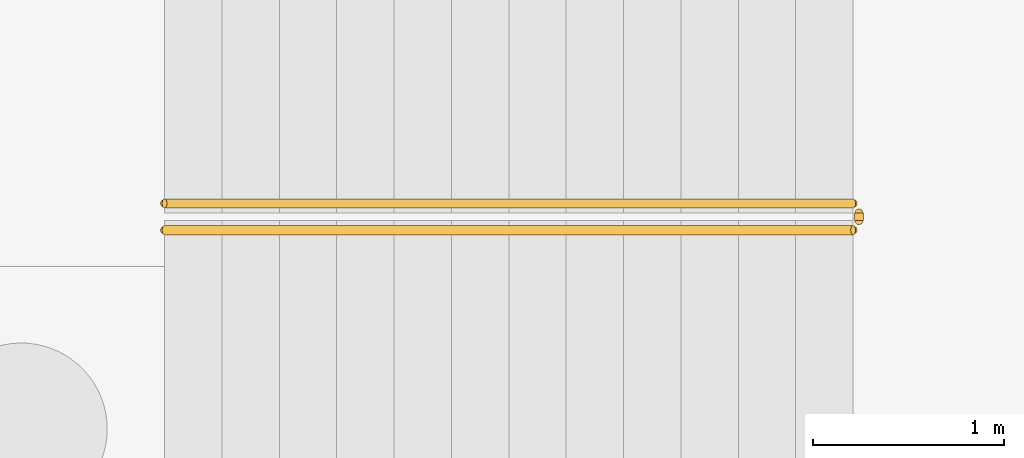
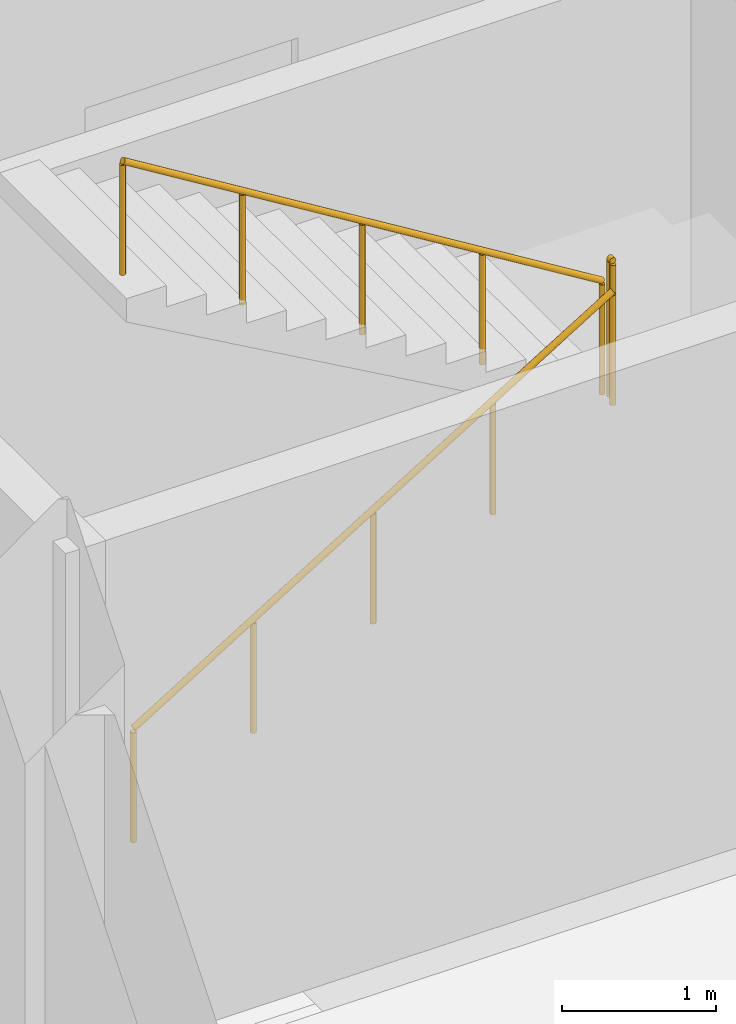
# One storey, part 11 of 13: 3 railings.
"""IFC4 building model written with IfcOpenShell, lengths in metres."""

from ifc_helpers import new_model, si_unit, direction, frame, origin, origin_2d, place, context, subcontext, project, spatial, circle, extrude, material, type_object, element, save


model = new_model("IFC4")

# Units and contexts
model_context = context("Model", 3, precision=1e-05, world=origin(), true_north=direction((0.0, 1.0)))
body_context = subcontext(model_context, "Body", "Model", "MODEL_VIEW")
ifc_project = project(units=[si_unit("LENGTHUNIT", "METRE"), si_unit("AREAUNIT", "SQUARE_METRE"), si_unit("VOLUMEUNIT", "CUBIC_METRE"), si_unit("PLANEANGLEUNIT", "RADIAN"), si_unit("MASSUNIT", "GRAM", prefix="KILO")], contexts=[model_context])

# Site, building, storey
site_placement = place(None, origin())
site = spatial("IfcSite", under=ifc_project, at=site_placement, CompositionType="ELEMENT")
building_placement = place(site_placement, origin())
building = spatial("IfcBuilding", under=site, at=building_placement, Name="Asteropetra Specialist Clinic", CompositionType="ELEMENT")
storey_placement = place(building_placement, frame((0.0, 0.0, -4.419921875)))
storey = spatial("IfcBuildingStorey", under=building, at=storey_placement, Name="B1", CompositionType="ELEMENT", Elevation=-4.419921875)

# Railings
ifc_material_1 = material(Name="Steel S355 and laminated glass guard", Category="steel")
railing_type_1 = type_object("IfcRailingType", Name="GRD-INT-1120", PredefinedType="GUARDRAIL", material=ifc_material_1)
railing_1_placement = place(storey_placement, frame((5.580078125, 35.889892578125, 2.2099609375)))
element("IfcRailing", 1, at=railing_1_placement, inside=storey, type_object=railing_type_1, Name="Landing Slot Guard ST04-B1", PredefinedType="GUARDRAIL", context=body_context, shape_type="SweptSolid", body=[
    extrude(circle(Radius=0.02392578125, at=origin_2d()), frame((0.0, 0.0, 1.09619140625), z_axis=(0.0, 1.0, 0.0), x_axis=(-1.0, 0.0, 0.0)), (0.0, 0.0, 1.0), 0.0400390625),
    extrude(circle(Radius=0.02099609375, at=origin_2d()), origin(), (0.0, 0.0, 1.0), 1.072021484375),
    extrude(circle(Radius=0.02099609375, at=origin_2d()), frame((0.0, 0.0400390625, 0.0)), (0.0, 0.0, 1.0), 1.072021484375),
])
ifc_material_2 = material(Name="Brushed stainless steel handrail", Category="steel")
railing_type_2 = type_object("IfcRailingType", Name="HRL-STAIR-920", PredefinedType="HANDRAIL", material=ifc_material_2)
railing_2_placement = place(storey_placement, frame((1.949951171875, 35.840087890625, 0.0)))
element("IfcRailing", 2, at=railing_2_placement, inside=storey, type_object=railing_type_2, Name="Stair Handrail ST04-B1 F1", PredefinedType="HANDRAIL", context=body_context, shape_type="SweptSolid", body=[
    extrude(circle(Radius=0.02392578125, at=origin_2d()), frame((0.0, 0.0, 0.89599609375), z_axis=(0.85223722916, 0.0, 0.523155526811), x_axis=(0.0, 1.0, 0.0)), (0.0, 0.0, 1.0), 4.224365234375),
    extrude(circle(Radius=0.02099609375, at=origin_2d()), origin(), (0.0, 0.0, 1.0), 0.871826171875),
    extrude(circle(Radius=0.02099609375, at=origin_2d()), frame((0.89990234375, 0.0, 0.552490234375)), (0.0, 0.0, 1.0), 0.871826171875),
    extrude(circle(Radius=0.02099609375, at=origin_2d()), frame((1.800048828125, 0.0, 1.10498046875)), (0.0, 0.0, 1.0), 0.871826171875),
    extrude(circle(Radius=0.02099609375, at=origin_2d()), frame((2.7001953125, 0.0, 1.657470703125)), (0.0, 0.0, 1.0), 0.871826171875),
    extrude(circle(Radius=0.02099609375, at=origin_2d()), frame((3.60009765625, 0.0, 2.2099609375)), (0.0, 0.0, 1.0), 0.871826171875),
])
railing_3_placement = place(storey_placement, frame((5.550048828125, 35.97998046875, 2.2099609375)))
element("IfcRailing", 3, at=railing_3_placement, inside=storey, type_object=railing_type_2, Name="Stair Handrail ST04-B1 F2", PredefinedType="HANDRAIL", context=body_context, shape_type="SweptSolid", body=[
    extrude(circle(Radius=0.02392578125, at=origin_2d()), frame((0.0, 0.0, 0.89599609375), z_axis=(-0.85223722916, 0.0, 0.523155526811), x_axis=(0.0, -1.0, 0.0)), (0.0, 0.0, 1.0), 4.224365234375),
    extrude(circle(Radius=0.02099609375, at=origin_2d()), origin(), (0.0, 0.0, 1.0), 0.871826171875),
    extrude(circle(Radius=0.02099609375, at=origin_2d()), frame((-0.89990234375, 0.0, 0.552490234375)), (0.0, 0.0, 1.0), 0.871826171875),
    extrude(circle(Radius=0.02099609375, at=origin_2d()), frame((-1.800048828125, 0.0, 1.10498046875)), (0.0, 0.0, 1.0), 0.871826171875),
    extrude(circle(Radius=0.02099609375, at=origin_2d()), frame((-2.7001953125, 0.0, 1.657470703125)), (0.0, 0.0, 1.0), 0.871826171875),
    extrude(circle(Radius=0.02099609375, at=origin_2d()), frame((-3.60009765625, 0.0, 2.2099609375)), (0.0, 0.0, 1.0), 0.871826171875),
])

save(model, "model.ifc")
